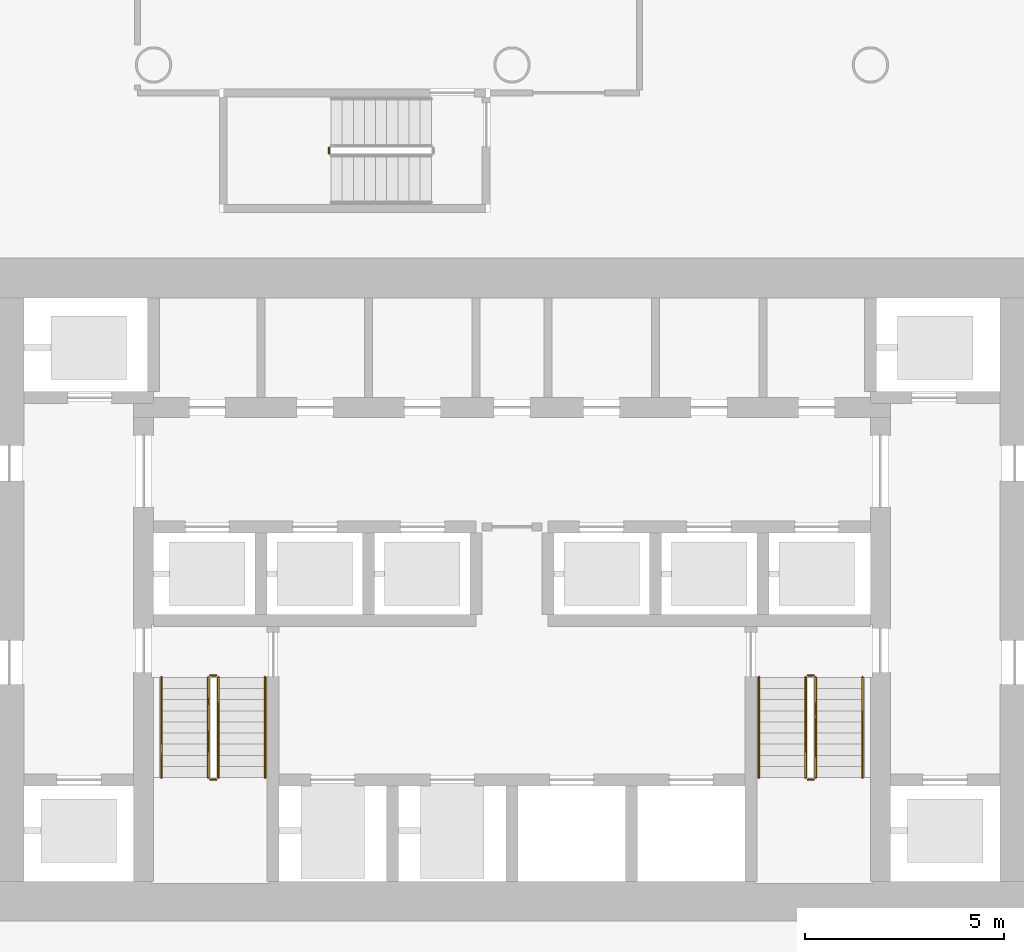
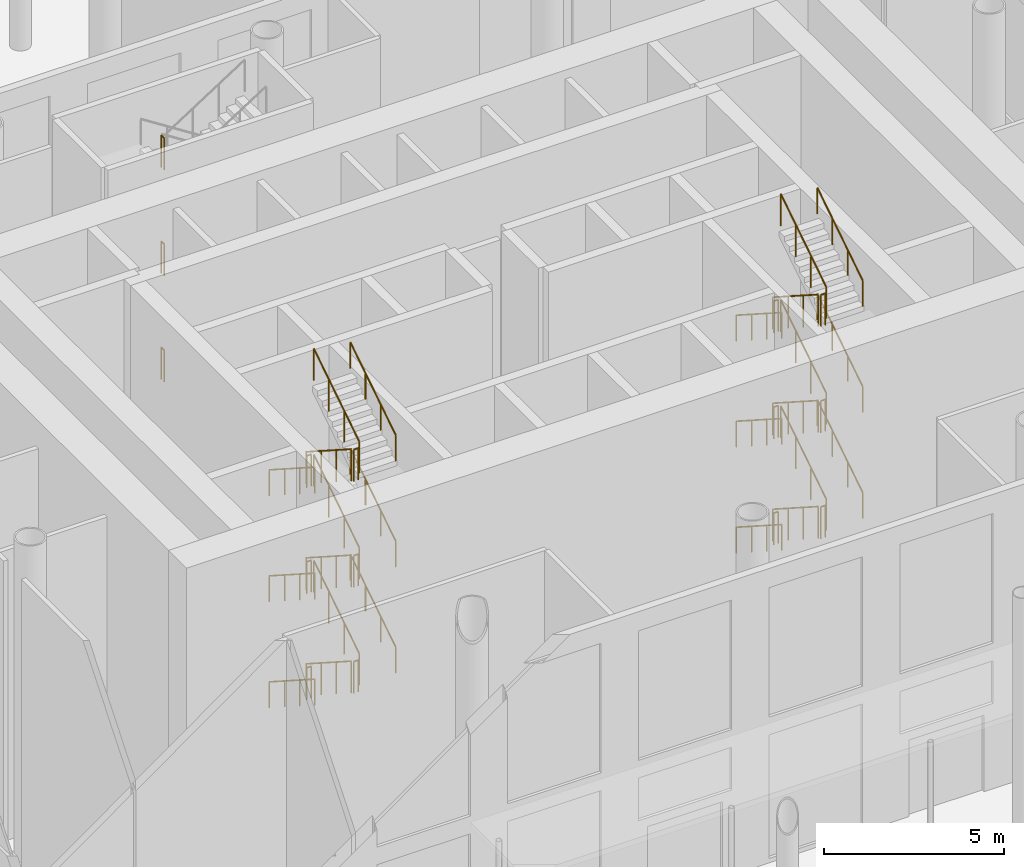
# One storey, part 16 of 18: 39 railings.
"""IFC4 building model written with IfcOpenShell, lengths in metres."""

from ifc_helpers import new_model, si_unit, direction, frame, origin, origin_2d, place, context, subcontext, project, spatial, circle, extrude, material, type_object, element, save


model = new_model("IFC4")

# Units and contexts
model_context = context("Model", 3, precision=1e-05, world=origin(), true_north=direction((0.0, 1.0)))
body_context = subcontext(model_context, "Body", "Model", "MODEL_VIEW")
ifc_project = project(units=[si_unit("LENGTHUNIT", "METRE"), si_unit("AREAUNIT", "SQUARE_METRE"), si_unit("VOLUMEUNIT", "CUBIC_METRE"), si_unit("PLANEANGLEUNIT", "RADIAN"), si_unit("MASSUNIT", "GRAM", prefix="KILO")], contexts=[model_context])

# Site, building, storey
site_placement = place(None, origin())
site = spatial("IfcSite", under=ifc_project, at=site_placement, CompositionType="ELEMENT")
building_placement = place(site_placement, origin())
building = spatial("IfcBuilding", under=site, at=building_placement, Name="Tskaro Facet Tower", CompositionType="ELEMENT")
storey_placement = place(building_placement, origin())
storey = spatial("IfcBuildingStorey", under=building, at=storey_placement, Name="L00", CompositionType="ELEMENT", Elevation=0.0)

# Railings
ifc_material = material(Name="Stainless steel", Category="steel")
railing_type_1 = type_object("IfcRailingType", Name="RL-GUARD-1100", PredefinedType="GUARDRAIL", material=ifc_material)
railing_1_placement = place(storey_placement, frame((-7.625, -6.375, 0.179931640625)))
element("IfcRailing", 1, at=railing_1_placement, inside=storey, type_object=railing_type_1, Name="L00 ST-1 stair guard 1", PredefinedType="GUARDRAIL", context=body_context, shape_type="SweptSolid", body=[
    extrude(circle(Radius=0.02392578125, at=origin_2d()), frame((0.0, 0.0, 1.076171875), z_axis=(0.0, -0.841162588446, 0.540782303519), x_axis=(1.0, 0.0, 0.0)), (0.0, 0.0, 1.0), 2.995849609375),
    extrude(circle(Radius=0.02099609375, at=origin_2d()), origin(), (0.0, 0.0, 1.0), 1.052001953125),
    extrude(circle(Radius=0.02099609375, at=origin_2d()), frame((0.0, -0.840087890625, 0.5400390625)), (0.0, 0.0, 1.0), 1.052001953125),
    extrude(circle(Radius=0.02099609375, at=origin_2d()), frame((0.0, -1.679931640625, 1.080078125)), (0.0, 0.0, 1.0), 1.052001953125),
    extrude(circle(Radius=0.02099609375, at=origin_2d()), frame((0.0, -2.52001953125, 1.6201171875)), (0.0, 0.0, 1.0), 1.052001953125),
])
railing_2_placement = place(storey_placement, frame((-7.574951171875, -8.945068359375, 1.800048828125)))
element("IfcRailing", 2, at=railing_2_placement, inside=storey, type_object=railing_type_1, Name="L00 ST-1 stair guard 2", PredefinedType="GUARDRAIL", context=body_context, shape_type="SweptSolid", body=[
    extrude(circle(Radius=0.02392578125, at=origin_2d()), frame((0.0, 0.0, 1.076171875), z_axis=(1.0, 0.0, 0.0), x_axis=(0.0, 1.0, 0.0)), (0.0, 0.0, 1.0), 0.14990234375),
    extrude(circle(Radius=0.02099609375, at=origin_2d()), origin(), (0.0, 0.0, 1.0), 1.052001953125),
    extrude(circle(Radius=0.02099609375, at=origin_2d()), frame((0.14990234375, 0.0, 0.0)), (0.0, 0.0, 1.0), 1.052001953125),
])
railing_3_placement = place(storey_placement, frame((-7.375, -8.89501953125, 1.97998046875)))
element("IfcRailing", 3, at=railing_3_placement, inside=storey, type_object=railing_type_1, Name="L00 ST-1 stair guard 3", PredefinedType="GUARDRAIL", context=body_context, shape_type="SweptSolid", body=[
    extrude(circle(Radius=0.02392578125, at=origin_2d()), frame((0.0, 0.0, 1.076171875), z_axis=(0.0, 0.841162588446, 0.540782303519), x_axis=(-1.0, 0.0, 0.0)), (0.0, 0.0, 1.0), 2.995849609375),
    extrude(circle(Radius=0.02099609375, at=origin_2d()), origin(), (0.0, 0.0, 1.0), 1.052001953125),
    extrude(circle(Radius=0.02099609375, at=origin_2d()), frame((0.0, 0.840087890625, 0.5400390625)), (0.0, 0.0, 1.0), 1.052001953125),
    extrude(circle(Radius=0.02099609375, at=origin_2d()), frame((0.0, 1.679931640625, 1.080078125)), (0.0, 0.0, 1.0), 1.052001953125),
    extrude(circle(Radius=0.02099609375, at=origin_2d()), frame((0.0, 2.52001953125, 1.6201171875)), (0.0, 0.0, 1.0), 1.052001953125),
])
railing_4_placement = place(storey_placement, frame((-7.574951171875, -6.324951171875, 3.60009765625)))
element("IfcRailing", 4, at=railing_4_placement, inside=storey, type_object=railing_type_1, Name="L00 ST-1 stair guard 4", PredefinedType="GUARDRAIL", context=body_context, shape_type="SweptSolid", body=[
    extrude(circle(Radius=0.02392578125, at=origin_2d()), frame((0.0, 0.0, 1.076171875), z_axis=(1.0, 0.0, 0.0), x_axis=(0.0, 1.0, 0.0)), (0.0, 0.0, 1.0), 0.14990234375),
    extrude(circle(Radius=0.02099609375, at=origin_2d()), origin(), (0.0, 0.0, 1.0), 1.052001953125),
    extrude(circle(Radius=0.02099609375, at=origin_2d()), frame((0.14990234375, 0.0, 0.0)), (0.0, 0.0, 1.0), 1.052001953125),
])
railing_5_placement = place(storey_placement, frame((-7.625, -6.375, 3.780029296875)))
element("IfcRailing", 5, at=railing_5_placement, inside=storey, type_object=railing_type_1, Name="L00 ST-1 stair guard 5", PredefinedType="GUARDRAIL", context=body_context, shape_type="SweptSolid", body=[
    extrude(circle(Radius=0.02392578125, at=origin_2d()), frame((0.0, 0.0, 1.076171875), z_axis=(0.0, -0.841199657755, 0.540724639528), x_axis=(1.0, 0.0, 0.0)), (0.0, 0.0, 1.0), 2.995849609375),
    extrude(circle(Radius=0.02099609375, at=origin_2d()), origin(), (0.0, 0.0, 1.0), 1.052001953125),
    extrude(circle(Radius=0.02099609375, at=origin_2d()), frame((0.0, -0.840087890625, 0.5400390625)), (0.0, 0.0, 1.0), 1.052001953125),
    extrude(circle(Radius=0.02099609375, at=origin_2d()), frame((0.0, -1.679931640625, 1.079833984375)), (0.0, 0.0, 1.0), 1.052001953125),
    extrude(circle(Radius=0.02099609375, at=origin_2d()), frame((0.0, -2.52001953125, 1.619873046875)), (0.0, 0.0, 1.0), 1.052001953125),
])
railing_6_placement = place(storey_placement, frame((-7.574951171875, -8.945068359375, 5.39990234375)))
element("IfcRailing", 6, at=railing_6_placement, inside=storey, type_object=railing_type_1, Name="L00 ST-1 stair guard 6", PredefinedType="GUARDRAIL", context=body_context, shape_type="SweptSolid", body=[
    extrude(circle(Radius=0.02392578125, at=origin_2d()), frame((0.0, 0.0, 1.076171875), z_axis=(1.0, 0.0, 0.0), x_axis=(0.0, 1.0, 0.0)), (0.0, 0.0, 1.0), 0.14990234375),
    extrude(circle(Radius=0.02099609375, at=origin_2d()), origin(), (0.0, 0.0, 1.0), 1.052001953125),
    extrude(circle(Radius=0.02099609375, at=origin_2d()), frame((0.14990234375, 0.0, 0.0)), (0.0, 0.0, 1.0), 1.052001953125),
])
railing_7_placement = place(storey_placement, frame((-7.375, -8.89501953125, 5.580078125)))
element("IfcRailing", 7, at=railing_7_placement, inside=storey, type_object=railing_type_1, Name="L00 ST-1 stair guard 7", PredefinedType="GUARDRAIL", context=body_context, shape_type="SweptSolid", body=[
    extrude(circle(Radius=0.02392578125, at=origin_2d()), frame((0.0, 0.0, 1.076171875), z_axis=(0.0, 0.841199657755, 0.540724639528), x_axis=(-1.0, 0.0, 0.0)), (0.0, 0.0, 1.0), 2.995849609375),
    extrude(circle(Radius=0.02099609375, at=origin_2d()), origin(), (0.0, 0.0, 1.0), 1.052001953125),
    extrude(circle(Radius=0.02099609375, at=origin_2d()), frame((0.0, 0.840087890625, 0.5400390625)), (0.0, 0.0, 1.0), 1.052001953125),
    extrude(circle(Radius=0.02099609375, at=origin_2d()), frame((0.0, 1.679931640625, 1.079833984375)), (0.0, 0.0, 1.0), 1.052001953125),
    extrude(circle(Radius=0.02099609375, at=origin_2d()), frame((0.0, 2.52001953125, 1.619873046875)), (0.0, 0.0, 1.0), 1.052001953125),
])
railing_8_placement = place(storey_placement, frame((-7.574951171875, -6.324951171875, 7.199951171875)))
element("IfcRailing", 8, at=railing_8_placement, inside=storey, type_object=railing_type_1, Name="L00 ST-1 stair guard 8", PredefinedType="GUARDRAIL", context=body_context, shape_type="SweptSolid", body=[
    extrude(circle(Radius=0.02392578125, at=origin_2d()), frame((0.0, 0.0, 1.076171875), z_axis=(1.0, 0.0, 0.0), x_axis=(0.0, 1.0, 0.0)), (0.0, 0.0, 1.0), 0.14990234375),
    extrude(circle(Radius=0.02099609375, at=origin_2d()), origin(), (0.0, 0.0, 1.0), 1.052001953125),
    extrude(circle(Radius=0.02099609375, at=origin_2d()), frame((0.14990234375, 0.0, 0.0)), (0.0, 0.0, 1.0), 1.052001953125),
])
railing_9_placement = place(storey_placement, frame((-7.625, -6.375, 7.3798828125)))
element("IfcRailing", 9, at=railing_9_placement, inside=storey, type_object=railing_type_1, Name="L00 ST-1 stair guard 9", PredefinedType="GUARDRAIL", context=body_context, shape_type="SweptSolid", body=[
    extrude(circle(Radius=0.02392578125, at=origin_2d()), frame((0.0, 0.0, 1.076171875), z_axis=(0.0, -0.841162588446, 0.540782303519), x_axis=(1.0, 0.0, 0.0)), (0.0, 0.0, 1.0), 2.995849609375),
    extrude(circle(Radius=0.02099609375, at=origin_2d()), origin(), (0.0, 0.0, 1.0), 1.052001953125),
    extrude(circle(Radius=0.02099609375, at=origin_2d()), frame((0.0, -0.840087890625, 0.5400390625)), (0.0, 0.0, 1.0), 1.052001953125),
    extrude(circle(Radius=0.02099609375, at=origin_2d()), frame((0.0, -1.679931640625, 1.080078125)), (0.0, 0.0, 1.0), 1.052001953125),
    extrude(circle(Radius=0.02099609375, at=origin_2d()), frame((0.0, -2.52001953125, 1.6201171875)), (0.0, 0.0, 1.0), 1.052001953125),
])
railing_10_placement = place(storey_placement, frame((-7.574951171875, -8.945068359375, 9.0)))
element("IfcRailing", 10, at=railing_10_placement, inside=storey, type_object=railing_type_1, Name="L00 ST-1 stair guard 10", PredefinedType="GUARDRAIL", context=body_context, shape_type="SweptSolid", body=[
    extrude(circle(Radius=0.02392578125, at=origin_2d()), frame((0.0, 0.0, 1.076171875), z_axis=(1.0, 0.0, 0.0), x_axis=(0.0, 1.0, 0.0)), (0.0, 0.0, 1.0), 0.14990234375),
    extrude(circle(Radius=0.02099609375, at=origin_2d()), origin(), (0.0, 0.0, 1.0), 1.052001953125),
    extrude(circle(Radius=0.02099609375, at=origin_2d()), frame((0.14990234375, 0.0, 0.0)), (0.0, 0.0, 1.0), 1.052001953125),
])
railing_11_placement = place(storey_placement, frame((-7.375, -8.89501953125, 9.179931640625)))
element("IfcRailing", 11, at=railing_11_placement, inside=storey, type_object=railing_type_1, Name="L00 ST-1 stair guard 11", PredefinedType="GUARDRAIL", context=body_context, shape_type="SweptSolid", body=[
    extrude(circle(Radius=0.02392578125, at=origin_2d()), frame((0.0, 0.0, 1.076171875), z_axis=(0.0, 0.841162588446, 0.540782303519), x_axis=(-1.0, 0.0, 0.0)), (0.0, 0.0, 1.0), 2.995849609375),
    extrude(circle(Radius=0.02099609375, at=origin_2d()), origin(), (0.0, 0.0, 1.0), 1.052001953125),
    extrude(circle(Radius=0.02099609375, at=origin_2d()), frame((0.0, 0.840087890625, 0.5400390625)), (0.0, 0.0, 1.0), 1.052001953125),
    extrude(circle(Radius=0.02099609375, at=origin_2d()), frame((0.0, 1.679931640625, 1.080078125)), (0.0, 0.0, 1.0), 1.052001953125),
    extrude(circle(Radius=0.02099609375, at=origin_2d()), frame((0.0, 2.52001953125, 1.6201171875)), (0.0, 0.0, 1.0), 1.052001953125),
])
railing_12_placement = place(storey_placement, frame((-7.574951171875, -6.324951171875, 0.0)))
element("IfcRailing", 12, at=railing_12_placement, inside=storey, type_object=railing_type_1, Name="L00 ST-1 stair guard 12", PredefinedType="GUARDRAIL", context=body_context, shape_type="SweptSolid", body=[
    extrude(circle(Radius=0.02392578125, at=origin_2d()), frame((0.0, 0.0, 1.076171875), z_axis=(1.0, 0.0, 0.0), x_axis=(0.0, 1.0, 0.0)), (0.0, 0.0, 1.0), 0.14990234375),
    extrude(circle(Radius=0.02099609375, at=origin_2d()), origin(), (0.0, 0.0, 1.0), 1.052001953125),
    extrude(circle(Radius=0.02099609375, at=origin_2d()), frame((0.14990234375, 0.0, 0.0)), (0.0, 0.0, 1.0), 1.052001953125),
])
railing_13_placement = place(storey_placement, frame((7.375, -6.375, 0.179931640625)))
element("IfcRailing", 13, at=railing_13_placement, inside=storey, type_object=railing_type_1, Name="L00 ST-2 stair guard 1", PredefinedType="GUARDRAIL", context=body_context, shape_type="SweptSolid", body=[
    extrude(circle(Radius=0.02392578125, at=origin_2d()), frame((0.0, 0.0, 1.076171875), z_axis=(0.0, -0.841162588446, 0.540782303519), x_axis=(1.0, 0.0, 0.0)), (0.0, 0.0, 1.0), 2.995849609375),
    extrude(circle(Radius=0.02099609375, at=origin_2d()), origin(), (0.0, 0.0, 1.0), 1.052001953125),
    extrude(circle(Radius=0.02099609375, at=origin_2d()), frame((0.0, -0.840087890625, 0.5400390625)), (0.0, 0.0, 1.0), 1.052001953125),
    extrude(circle(Radius=0.02099609375, at=origin_2d()), frame((0.0, -1.679931640625, 1.080078125)), (0.0, 0.0, 1.0), 1.052001953125),
    extrude(circle(Radius=0.02099609375, at=origin_2d()), frame((0.0, -2.52001953125, 1.6201171875)), (0.0, 0.0, 1.0), 1.052001953125),
])
railing_14_placement = place(storey_placement, frame((7.425048828125, -8.945068359375, 1.800048828125)))
element("IfcRailing", 14, at=railing_14_placement, inside=storey, type_object=railing_type_1, Name="L00 ST-2 stair guard 2", PredefinedType="GUARDRAIL", context=body_context, shape_type="SweptSolid", body=[
    extrude(circle(Radius=0.02392578125, at=origin_2d()), frame((0.0, 0.0, 1.076171875), z_axis=(1.0, 0.0, 0.0), x_axis=(0.0, 1.0, 0.0)), (0.0, 0.0, 1.0), 0.14990234375),
    extrude(circle(Radius=0.02099609375, at=origin_2d()), origin(), (0.0, 0.0, 1.0), 1.052001953125),
    extrude(circle(Radius=0.02099609375, at=origin_2d()), frame((0.14990234375, 0.0, 0.0)), (0.0, 0.0, 1.0), 1.052001953125),
])
railing_15_placement = place(storey_placement, frame((7.625, -8.89501953125, 1.97998046875)))
element("IfcRailing", 15, at=railing_15_placement, inside=storey, type_object=railing_type_1, Name="L00 ST-2 stair guard 3", PredefinedType="GUARDRAIL", context=body_context, shape_type="SweptSolid", body=[
    extrude(circle(Radius=0.02392578125, at=origin_2d()), frame((0.0, 0.0, 1.076171875), z_axis=(0.0, 0.841162588446, 0.540782303519), x_axis=(-1.0, 0.0, 0.0)), (0.0, 0.0, 1.0), 2.995849609375),
    extrude(circle(Radius=0.02099609375, at=origin_2d()), origin(), (0.0, 0.0, 1.0), 1.052001953125),
    extrude(circle(Radius=0.02099609375, at=origin_2d()), frame((0.0, 0.840087890625, 0.5400390625)), (0.0, 0.0, 1.0), 1.052001953125),
    extrude(circle(Radius=0.02099609375, at=origin_2d()), frame((0.0, 1.679931640625, 1.080078125)), (0.0, 0.0, 1.0), 1.052001953125),
    extrude(circle(Radius=0.02099609375, at=origin_2d()), frame((0.0, 2.52001953125, 1.6201171875)), (0.0, 0.0, 1.0), 1.052001953125),
])
railing_16_placement = place(storey_placement, frame((7.425048828125, -6.324951171875, 3.60009765625)))
element("IfcRailing", 16, at=railing_16_placement, inside=storey, type_object=railing_type_1, Name="L00 ST-2 stair guard 4", PredefinedType="GUARDRAIL", context=body_context, shape_type="SweptSolid", body=[
    extrude(circle(Radius=0.02392578125, at=origin_2d()), frame((0.0, 0.0, 1.076171875), z_axis=(1.0, 0.0, 0.0), x_axis=(0.0, 1.0, 0.0)), (0.0, 0.0, 1.0), 0.14990234375),
    extrude(circle(Radius=0.02099609375, at=origin_2d()), origin(), (0.0, 0.0, 1.0), 1.052001953125),
    extrude(circle(Radius=0.02099609375, at=origin_2d()), frame((0.14990234375, 0.0, 0.0)), (0.0, 0.0, 1.0), 1.052001953125),
])
railing_17_placement = place(storey_placement, frame((7.375, -6.375, 3.780029296875)))
element("IfcRailing", 17, at=railing_17_placement, inside=storey, type_object=railing_type_1, Name="L00 ST-2 stair guard 5", PredefinedType="GUARDRAIL", context=body_context, shape_type="SweptSolid", body=[
    extrude(circle(Radius=0.02392578125, at=origin_2d()), frame((0.0, 0.0, 1.076171875), z_axis=(0.0, -0.841199657755, 0.540724639528), x_axis=(1.0, 0.0, 0.0)), (0.0, 0.0, 1.0), 2.995849609375),
    extrude(circle(Radius=0.02099609375, at=origin_2d()), origin(), (0.0, 0.0, 1.0), 1.052001953125),
    extrude(circle(Radius=0.02099609375, at=origin_2d()), frame((0.0, -0.840087890625, 0.5400390625)), (0.0, 0.0, 1.0), 1.052001953125),
    extrude(circle(Radius=0.02099609375, at=origin_2d()), frame((0.0, -1.679931640625, 1.079833984375)), (0.0, 0.0, 1.0), 1.052001953125),
    extrude(circle(Radius=0.02099609375, at=origin_2d()), frame((0.0, -2.52001953125, 1.619873046875)), (0.0, 0.0, 1.0), 1.052001953125),
])
railing_18_placement = place(storey_placement, frame((7.425048828125, -8.945068359375, 5.39990234375)))
element("IfcRailing", 18, at=railing_18_placement, inside=storey, type_object=railing_type_1, Name="L00 ST-2 stair guard 6", PredefinedType="GUARDRAIL", context=body_context, shape_type="SweptSolid", body=[
    extrude(circle(Radius=0.02392578125, at=origin_2d()), frame((0.0, 0.0, 1.076171875), z_axis=(1.0, 0.0, 0.0), x_axis=(0.0, 1.0, 0.0)), (0.0, 0.0, 1.0), 0.14990234375),
    extrude(circle(Radius=0.02099609375, at=origin_2d()), origin(), (0.0, 0.0, 1.0), 1.052001953125),
    extrude(circle(Radius=0.02099609375, at=origin_2d()), frame((0.14990234375, 0.0, 0.0)), (0.0, 0.0, 1.0), 1.052001953125),
])
railing_19_placement = place(storey_placement, frame((7.625, -8.89501953125, 5.580078125)))
element("IfcRailing", 19, at=railing_19_placement, inside=storey, type_object=railing_type_1, Name="L00 ST-2 stair guard 7", PredefinedType="GUARDRAIL", context=body_context, shape_type="SweptSolid", body=[
    extrude(circle(Radius=0.02392578125, at=origin_2d()), frame((0.0, 0.0, 1.076171875), z_axis=(0.0, 0.841199657755, 0.540724639528), x_axis=(-1.0, 0.0, 0.0)), (0.0, 0.0, 1.0), 2.995849609375),
    extrude(circle(Radius=0.02099609375, at=origin_2d()), origin(), (0.0, 0.0, 1.0), 1.052001953125),
    extrude(circle(Radius=0.02099609375, at=origin_2d()), frame((0.0, 0.840087890625, 0.5400390625)), (0.0, 0.0, 1.0), 1.052001953125),
    extrude(circle(Radius=0.02099609375, at=origin_2d()), frame((0.0, 1.679931640625, 1.079833984375)), (0.0, 0.0, 1.0), 1.052001953125),
    extrude(circle(Radius=0.02099609375, at=origin_2d()), frame((0.0, 2.52001953125, 1.619873046875)), (0.0, 0.0, 1.0), 1.052001953125),
])
railing_20_placement = place(storey_placement, frame((7.425048828125, -6.324951171875, 7.199951171875)))
element("IfcRailing", 20, at=railing_20_placement, inside=storey, type_object=railing_type_1, Name="L00 ST-2 stair guard 8", PredefinedType="GUARDRAIL", context=body_context, shape_type="SweptSolid", body=[
    extrude(circle(Radius=0.02392578125, at=origin_2d()), frame((0.0, 0.0, 1.076171875), z_axis=(1.0, 0.0, 0.0), x_axis=(0.0, 1.0, 0.0)), (0.0, 0.0, 1.0), 0.14990234375),
    extrude(circle(Radius=0.02099609375, at=origin_2d()), origin(), (0.0, 0.0, 1.0), 1.052001953125),
    extrude(circle(Radius=0.02099609375, at=origin_2d()), frame((0.14990234375, 0.0, 0.0)), (0.0, 0.0, 1.0), 1.052001953125),
])
railing_21_placement = place(storey_placement, frame((7.375, -6.375, 7.3798828125)))
element("IfcRailing", 21, at=railing_21_placement, inside=storey, type_object=railing_type_1, Name="L00 ST-2 stair guard 9", PredefinedType="GUARDRAIL", context=body_context, shape_type="SweptSolid", body=[
    extrude(circle(Radius=0.02392578125, at=origin_2d()), frame((0.0, 0.0, 1.076171875), z_axis=(0.0, -0.841162588446, 0.540782303519), x_axis=(1.0, 0.0, 0.0)), (0.0, 0.0, 1.0), 2.995849609375),
    extrude(circle(Radius=0.02099609375, at=origin_2d()), origin(), (0.0, 0.0, 1.0), 1.052001953125),
    extrude(circle(Radius=0.02099609375, at=origin_2d()), frame((0.0, -0.840087890625, 0.5400390625)), (0.0, 0.0, 1.0), 1.052001953125),
    extrude(circle(Radius=0.02099609375, at=origin_2d()), frame((0.0, -1.679931640625, 1.080078125)), (0.0, 0.0, 1.0), 1.052001953125),
    extrude(circle(Radius=0.02099609375, at=origin_2d()), frame((0.0, -2.52001953125, 1.6201171875)), (0.0, 0.0, 1.0), 1.052001953125),
])
railing_22_placement = place(storey_placement, frame((7.425048828125, -8.945068359375, 9.0)))
element("IfcRailing", 22, at=railing_22_placement, inside=storey, type_object=railing_type_1, Name="L00 ST-2 stair guard 10", PredefinedType="GUARDRAIL", context=body_context, shape_type="SweptSolid", body=[
    extrude(circle(Radius=0.02392578125, at=origin_2d()), frame((0.0, 0.0, 1.076171875), z_axis=(1.0, 0.0, 0.0), x_axis=(0.0, 1.0, 0.0)), (0.0, 0.0, 1.0), 0.14990234375),
    extrude(circle(Radius=0.02099609375, at=origin_2d()), origin(), (0.0, 0.0, 1.0), 1.052001953125),
    extrude(circle(Radius=0.02099609375, at=origin_2d()), frame((0.14990234375, 0.0, 0.0)), (0.0, 0.0, 1.0), 1.052001953125),
])
railing_23_placement = place(storey_placement, frame((7.625, -8.89501953125, 9.179931640625)))
element("IfcRailing", 23, at=railing_23_placement, inside=storey, type_object=railing_type_1, Name="L00 ST-2 stair guard 11", PredefinedType="GUARDRAIL", context=body_context, shape_type="SweptSolid", body=[
    extrude(circle(Radius=0.02392578125, at=origin_2d()), frame((0.0, 0.0, 1.076171875), z_axis=(0.0, 0.841162588446, 0.540782303519), x_axis=(-1.0, 0.0, 0.0)), (0.0, 0.0, 1.0), 2.995849609375),
    extrude(circle(Radius=0.02099609375, at=origin_2d()), origin(), (0.0, 0.0, 1.0), 1.052001953125),
    extrude(circle(Radius=0.02099609375, at=origin_2d()), frame((0.0, 0.840087890625, 0.5400390625)), (0.0, 0.0, 1.0), 1.052001953125),
    extrude(circle(Radius=0.02099609375, at=origin_2d()), frame((0.0, 1.679931640625, 1.080078125)), (0.0, 0.0, 1.0), 1.052001953125),
    extrude(circle(Radius=0.02099609375, at=origin_2d()), frame((0.0, 2.52001953125, 1.6201171875)), (0.0, 0.0, 1.0), 1.052001953125),
])
railing_24_placement = place(storey_placement, frame((7.425048828125, -6.324951171875, 0.0)))
element("IfcRailing", 24, at=railing_24_placement, inside=storey, type_object=railing_type_1, Name="L00 ST-2 stair guard 12", PredefinedType="GUARDRAIL", context=body_context, shape_type="SweptSolid", body=[
    extrude(circle(Radius=0.02392578125, at=origin_2d()), frame((0.0, 0.0, 1.076171875), z_axis=(1.0, 0.0, 0.0), x_axis=(0.0, 1.0, 0.0)), (0.0, 0.0, 1.0), 0.14990234375),
    extrude(circle(Radius=0.02099609375, at=origin_2d()), origin(), (0.0, 0.0, 1.0), 1.052001953125),
    extrude(circle(Radius=0.02099609375, at=origin_2d()), frame((0.14990234375, 0.0, 0.0)), (0.0, 0.0, 1.0), 1.052001953125),
])
for number, where, name in (
    (25, (-4.594970703125, 6.925048828125, 1.800048828125), "L00 ST-3 stair guard 2"),
    (26, (-4.594970703125, 6.925048828125, 5.39990234375), "L00 ST-3 stair guard 6"),
    (27, (-4.594970703125, 6.925048828125, 9.0), "L00 ST-3 stair guard 10"),
):
    element("IfcRailing", number, at=place(storey_placement, frame(where)), inside=storey, type_object=railing_type_1, Name=name, PredefinedType="GUARDRAIL", context=body_context, shape_type="SweptSolid", body=[
        extrude(circle(Radius=0.02392578125, at=origin_2d()), frame((0.0, 0.0, 1.076171875), z_axis=(0.0, -1.0, 0.0), x_axis=(1.0, 0.0, 0.0)), (0.0, 0.0, 1.0), 0.150146484375),
        extrude(circle(Radius=0.02099609375, at=origin_2d()), origin(), (0.0, 0.0, 1.0), 1.052001953125),
        extrude(circle(Radius=0.02099609375, at=origin_2d()), frame((0.0, -0.150146484375, 0.0)), (0.0, 0.0, 1.0), 1.052001953125),
    ])
railing_type_2 = type_object("IfcRailingType", Name="RL-HANDRAIL-900", PredefinedType="HANDRAIL", material=ifc_material)
railing_25_placement = place(storey_placement, frame((-8.800048828125, -6.375, 0.179931640625)))
element("IfcRailing", 28, at=railing_25_placement, inside=storey, type_object=railing_type_2, Name="L00 ST-1 stair handrail 1", PredefinedType="HANDRAIL", context=body_context, shape_type="SweptSolid", body=[
    extrude(circle(Radius=0.02392578125, at=origin_2d()), frame((0.0, 0.0, 0.8759765625), z_axis=(0.0, -0.841162588446, 0.540782303519), x_axis=(1.0, 0.0, 0.0)), (0.0, 0.0, 1.0), 2.995849609375),
    extrude(circle(Radius=0.02099609375, at=origin_2d()), origin(), (0.0, 0.0, 1.0), 0.851806640625),
    extrude(circle(Radius=0.02099609375, at=origin_2d()), frame((0.0, -0.840087890625, 0.5400390625)), (0.0, 0.0, 1.0), 0.851806640625),
    extrude(circle(Radius=0.02099609375, at=origin_2d()), frame((0.0, -1.679931640625, 1.080078125)), (0.0, 0.0, 1.0), 0.851806640625),
    extrude(circle(Radius=0.02099609375, at=origin_2d()), frame((0.0, -2.52001953125, 1.6201171875)), (0.0, 0.0, 1.0), 0.851806640625),
])
railing_26_placement = place(storey_placement, frame((-6.199951171875, -8.89501953125, 1.97998046875)))
element("IfcRailing", 29, at=railing_26_placement, inside=storey, type_object=railing_type_2, Name="L00 ST-1 stair handrail 2", PredefinedType="HANDRAIL", context=body_context, shape_type="SweptSolid", body=[
    extrude(circle(Radius=0.02392578125, at=origin_2d()), frame((0.0, 0.0, 0.8759765625), z_axis=(0.0, 0.841162588446, 0.540782303519), x_axis=(-1.0, 0.0, 0.0)), (0.0, 0.0, 1.0), 2.995849609375),
    extrude(circle(Radius=0.02099609375, at=origin_2d()), origin(), (0.0, 0.0, 1.0), 0.851806640625),
    extrude(circle(Radius=0.02099609375, at=origin_2d()), frame((0.0, 0.840087890625, 0.5400390625)), (0.0, 0.0, 1.0), 0.851806640625),
    extrude(circle(Radius=0.02099609375, at=origin_2d()), frame((0.0, 1.679931640625, 1.080078125)), (0.0, 0.0, 1.0), 0.851806640625),
    extrude(circle(Radius=0.02099609375, at=origin_2d()), frame((0.0, 2.52001953125, 1.6201171875)), (0.0, 0.0, 1.0), 0.851806640625),
])
railing_27_placement = place(storey_placement, frame((-8.800048828125, -6.375, 3.780029296875)))
element("IfcRailing", 30, at=railing_27_placement, inside=storey, type_object=railing_type_2, Name="L00 ST-1 stair handrail 3", PredefinedType="HANDRAIL", context=body_context, shape_type="SweptSolid", body=[
    extrude(circle(Radius=0.02392578125, at=origin_2d()), frame((0.0, 0.0, 0.8759765625), z_axis=(0.0, -0.841199657755, 0.540724639528), x_axis=(1.0, 0.0, 0.0)), (0.0, 0.0, 1.0), 2.995849609375),
    extrude(circle(Radius=0.02099609375, at=origin_2d()), origin(), (0.0, 0.0, 1.0), 0.851806640625),
    extrude(circle(Radius=0.02099609375, at=origin_2d()), frame((0.0, -0.840087890625, 0.5400390625)), (0.0, 0.0, 1.0), 0.851806640625),
    extrude(circle(Radius=0.02099609375, at=origin_2d()), frame((0.0, -1.679931640625, 1.079833984375)), (0.0, 0.0, 1.0), 0.851806640625),
    extrude(circle(Radius=0.02099609375, at=origin_2d()), frame((0.0, -2.52001953125, 1.619873046875)), (0.0, 0.0, 1.0), 0.851806640625),
])
railing_28_placement = place(storey_placement, frame((-6.199951171875, -8.89501953125, 5.580078125)))
element("IfcRailing", 31, at=railing_28_placement, inside=storey, type_object=railing_type_2, Name="L00 ST-1 stair handrail 4", PredefinedType="HANDRAIL", context=body_context, shape_type="SweptSolid", body=[
    extrude(circle(Radius=0.02392578125, at=origin_2d()), frame((0.0, 0.0, 0.8759765625), z_axis=(0.0, 0.841199657755, 0.540724639528), x_axis=(-1.0, 0.0, 0.0)), (0.0, 0.0, 1.0), 2.995849609375),
    extrude(circle(Radius=0.02099609375, at=origin_2d()), origin(), (0.0, 0.0, 1.0), 0.851806640625),
    extrude(circle(Radius=0.02099609375, at=origin_2d()), frame((0.0, 0.840087890625, 0.5400390625)), (0.0, 0.0, 1.0), 0.851806640625),
    extrude(circle(Radius=0.02099609375, at=origin_2d()), frame((0.0, 1.679931640625, 1.079833984375)), (0.0, 0.0, 1.0), 0.851806640625),
    extrude(circle(Radius=0.02099609375, at=origin_2d()), frame((0.0, 2.52001953125, 1.619873046875)), (0.0, 0.0, 1.0), 0.851806640625),
])
railing_29_placement = place(storey_placement, frame((-8.800048828125, -6.375, 7.3798828125)))
element("IfcRailing", 32, at=railing_29_placement, inside=storey, type_object=railing_type_2, Name="L00 ST-1 stair handrail 5", PredefinedType="HANDRAIL", context=body_context, shape_type="SweptSolid", body=[
    extrude(circle(Radius=0.02392578125, at=origin_2d()), frame((0.0, 0.0, 0.8759765625), z_axis=(0.0, -0.841162588446, 0.540782303519), x_axis=(1.0, 0.0, 0.0)), (0.0, 0.0, 1.0), 2.995849609375),
    extrude(circle(Radius=0.02099609375, at=origin_2d()), origin(), (0.0, 0.0, 1.0), 0.851806640625),
    extrude(circle(Radius=0.02099609375, at=origin_2d()), frame((0.0, -0.840087890625, 0.5400390625)), (0.0, 0.0, 1.0), 0.851806640625),
    extrude(circle(Radius=0.02099609375, at=origin_2d()), frame((0.0, -1.679931640625, 1.080078125)), (0.0, 0.0, 1.0), 0.851806640625),
    extrude(circle(Radius=0.02099609375, at=origin_2d()), frame((0.0, -2.52001953125, 1.6201171875)), (0.0, 0.0, 1.0), 0.851806640625),
])
railing_30_placement = place(storey_placement, frame((-6.199951171875, -8.89501953125, 9.179931640625)))
element("IfcRailing", 33, at=railing_30_placement, inside=storey, type_object=railing_type_2, Name="L00 ST-1 stair handrail 6", PredefinedType="HANDRAIL", context=body_context, shape_type="SweptSolid", body=[
    extrude(circle(Radius=0.02392578125, at=origin_2d()), frame((0.0, 0.0, 0.8759765625), z_axis=(0.0, 0.841162588446, 0.540782303519), x_axis=(-1.0, 0.0, 0.0)), (0.0, 0.0, 1.0), 2.995849609375),
    extrude(circle(Radius=0.02099609375, at=origin_2d()), origin(), (0.0, 0.0, 1.0), 0.851806640625),
    extrude(circle(Radius=0.02099609375, at=origin_2d()), frame((0.0, 0.840087890625, 0.5400390625)), (0.0, 0.0, 1.0), 0.851806640625),
    extrude(circle(Radius=0.02099609375, at=origin_2d()), frame((0.0, 1.679931640625, 1.080078125)), (0.0, 0.0, 1.0), 0.851806640625),
    extrude(circle(Radius=0.02099609375, at=origin_2d()), frame((0.0, 2.52001953125, 1.6201171875)), (0.0, 0.0, 1.0), 0.851806640625),
])
railing_31_placement = place(storey_placement, frame((6.199951171875, -6.375, 0.179931640625)))
element("IfcRailing", 34, at=railing_31_placement, inside=storey, type_object=railing_type_2, Name="L00 ST-2 stair handrail 1", PredefinedType="HANDRAIL", context=body_context, shape_type="SweptSolid", body=[
    extrude(circle(Radius=0.02392578125, at=origin_2d()), frame((0.0, 0.0, 0.8759765625), z_axis=(0.0, -0.841162588446, 0.540782303519), x_axis=(1.0, 0.0, 0.0)), (0.0, 0.0, 1.0), 2.995849609375),
    extrude(circle(Radius=0.02099609375, at=origin_2d()), origin(), (0.0, 0.0, 1.0), 0.851806640625),
    extrude(circle(Radius=0.02099609375, at=origin_2d()), frame((0.0, -0.840087890625, 0.5400390625)), (0.0, 0.0, 1.0), 0.851806640625),
    extrude(circle(Radius=0.02099609375, at=origin_2d()), frame((0.0, -1.679931640625, 1.080078125)), (0.0, 0.0, 1.0), 0.851806640625),
    extrude(circle(Radius=0.02099609375, at=origin_2d()), frame((0.0, -2.52001953125, 1.6201171875)), (0.0, 0.0, 1.0), 0.851806640625),
])
railing_32_placement = place(storey_placement, frame((8.800048828125, -8.89501953125, 1.97998046875)))
element("IfcRailing", 35, at=railing_32_placement, inside=storey, type_object=railing_type_2, Name="L00 ST-2 stair handrail 2", PredefinedType="HANDRAIL", context=body_context, shape_type="SweptSolid", body=[
    extrude(circle(Radius=0.02392578125, at=origin_2d()), frame((0.0, 0.0, 0.8759765625), z_axis=(0.0, 0.841162588446, 0.540782303519), x_axis=(-1.0, 0.0, 0.0)), (0.0, 0.0, 1.0), 2.995849609375),
    extrude(circle(Radius=0.02099609375, at=origin_2d()), origin(), (0.0, 0.0, 1.0), 0.851806640625),
    extrude(circle(Radius=0.02099609375, at=origin_2d()), frame((0.0, 0.840087890625, 0.5400390625)), (0.0, 0.0, 1.0), 0.851806640625),
    extrude(circle(Radius=0.02099609375, at=origin_2d()), frame((0.0, 1.679931640625, 1.080078125)), (0.0, 0.0, 1.0), 0.851806640625),
    extrude(circle(Radius=0.02099609375, at=origin_2d()), frame((0.0, 2.52001953125, 1.6201171875)), (0.0, 0.0, 1.0), 0.851806640625),
])
railing_33_placement = place(storey_placement, frame((6.199951171875, -6.375, 3.780029296875)))
element("IfcRailing", 36, at=railing_33_placement, inside=storey, type_object=railing_type_2, Name="L00 ST-2 stair handrail 3", PredefinedType="HANDRAIL", context=body_context, shape_type="SweptSolid", body=[
    extrude(circle(Radius=0.02392578125, at=origin_2d()), frame((0.0, 0.0, 0.8759765625), z_axis=(0.0, -0.841199657755, 0.540724639528), x_axis=(1.0, 0.0, 0.0)), (0.0, 0.0, 1.0), 2.995849609375),
    extrude(circle(Radius=0.02099609375, at=origin_2d()), origin(), (0.0, 0.0, 1.0), 0.851806640625),
    extrude(circle(Radius=0.02099609375, at=origin_2d()), frame((0.0, -0.840087890625, 0.5400390625)), (0.0, 0.0, 1.0), 0.851806640625),
    extrude(circle(Radius=0.02099609375, at=origin_2d()), frame((0.0, -1.679931640625, 1.079833984375)), (0.0, 0.0, 1.0), 0.851806640625),
    extrude(circle(Radius=0.02099609375, at=origin_2d()), frame((0.0, -2.52001953125, 1.619873046875)), (0.0, 0.0, 1.0), 0.851806640625),
])
railing_34_placement = place(storey_placement, frame((8.800048828125, -8.89501953125, 5.580078125)))
element("IfcRailing", 37, at=railing_34_placement, inside=storey, type_object=railing_type_2, Name="L00 ST-2 stair handrail 4", PredefinedType="HANDRAIL", context=body_context, shape_type="SweptSolid", body=[
    extrude(circle(Radius=0.02392578125, at=origin_2d()), frame((0.0, 0.0, 0.8759765625), z_axis=(0.0, 0.841199657755, 0.540724639528), x_axis=(-1.0, 0.0, 0.0)), (0.0, 0.0, 1.0), 2.995849609375),
    extrude(circle(Radius=0.02099609375, at=origin_2d()), origin(), (0.0, 0.0, 1.0), 0.851806640625),
    extrude(circle(Radius=0.02099609375, at=origin_2d()), frame((0.0, 0.840087890625, 0.5400390625)), (0.0, 0.0, 1.0), 0.851806640625),
    extrude(circle(Radius=0.02099609375, at=origin_2d()), frame((0.0, 1.679931640625, 1.079833984375)), (0.0, 0.0, 1.0), 0.851806640625),
    extrude(circle(Radius=0.02099609375, at=origin_2d()), frame((0.0, 2.52001953125, 1.619873046875)), (0.0, 0.0, 1.0), 0.851806640625),
])
railing_35_placement = place(storey_placement, frame((6.199951171875, -6.375, 7.3798828125)))
element("IfcRailing", 38, at=railing_35_placement, inside=storey, type_object=railing_type_2, Name="L00 ST-2 stair handrail 5", PredefinedType="HANDRAIL", context=body_context, shape_type="SweptSolid", body=[
    extrude(circle(Radius=0.02392578125, at=origin_2d()), frame((0.0, 0.0, 0.8759765625), z_axis=(0.0, -0.841162588446, 0.540782303519), x_axis=(1.0, 0.0, 0.0)), (0.0, 0.0, 1.0), 2.995849609375),
    extrude(circle(Radius=0.02099609375, at=origin_2d()), origin(), (0.0, 0.0, 1.0), 0.851806640625),
    extrude(circle(Radius=0.02099609375, at=origin_2d()), frame((0.0, -0.840087890625, 0.5400390625)), (0.0, 0.0, 1.0), 0.851806640625),
    extrude(circle(Radius=0.02099609375, at=origin_2d()), frame((0.0, -1.679931640625, 1.080078125)), (0.0, 0.0, 1.0), 0.851806640625),
    extrude(circle(Radius=0.02099609375, at=origin_2d()), frame((0.0, -2.52001953125, 1.6201171875)), (0.0, 0.0, 1.0), 0.851806640625),
])
railing_36_placement = place(storey_placement, frame((8.800048828125, -8.89501953125, 9.179931640625)))
element("IfcRailing", 39, at=railing_36_placement, inside=storey, type_object=railing_type_2, Name="L00 ST-2 stair handrail 6", PredefinedType="HANDRAIL", context=body_context, shape_type="SweptSolid", body=[
    extrude(circle(Radius=0.02392578125, at=origin_2d()), frame((0.0, 0.0, 0.8759765625), z_axis=(0.0, 0.841162588446, 0.540782303519), x_axis=(-1.0, 0.0, 0.0)), (0.0, 0.0, 1.0), 2.995849609375),
    extrude(circle(Radius=0.02099609375, at=origin_2d()), origin(), (0.0, 0.0, 1.0), 0.851806640625),
    extrude(circle(Radius=0.02099609375, at=origin_2d()), frame((0.0, 0.840087890625, 0.5400390625)), (0.0, 0.0, 1.0), 0.851806640625),
    extrude(circle(Radius=0.02099609375, at=origin_2d()), frame((0.0, 1.679931640625, 1.080078125)), (0.0, 0.0, 1.0), 0.851806640625),
    extrude(circle(Radius=0.02099609375, at=origin_2d()), frame((0.0, 2.52001953125, 1.6201171875)), (0.0, 0.0, 1.0), 0.851806640625),
])

save(model, "model.ifc")
